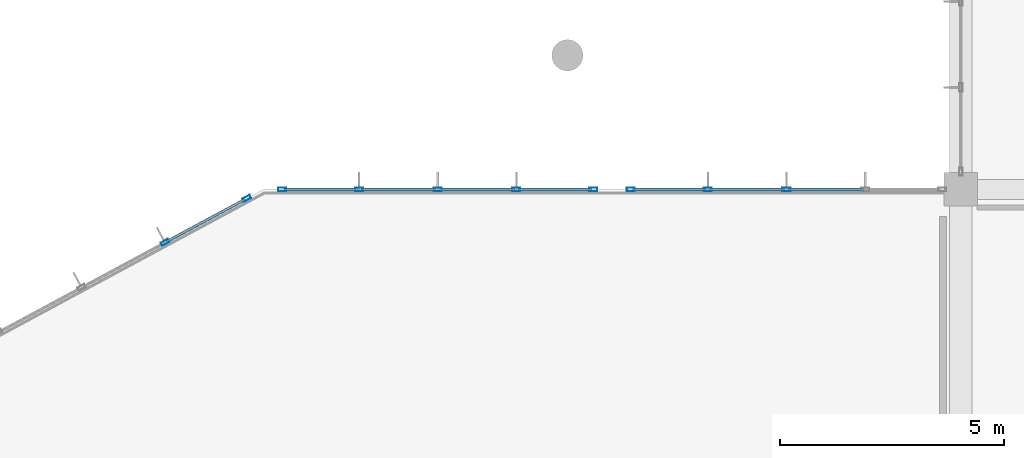
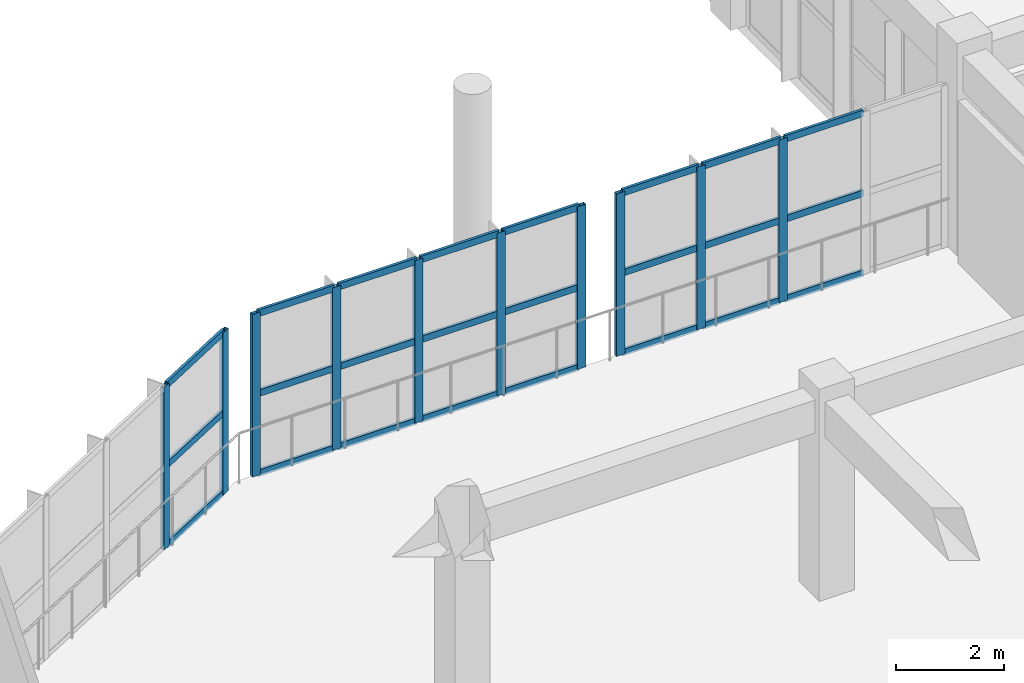
# One storey, part 61 of 175: 34 members, 3 elements without a shape of their own.
"""IFC4 building model written with IfcOpenShell, lengths in metres."""

from ifc_helpers import new_model, si_unit, direction, frame, origin, origin_2d, place, context, subcontext, project, spatial, hollow_rectangle, extrude, material, layer, layer_set, material_profile, profile_set, type_object, element, aggregate, save


model = new_model("IFC4")

# Units and contexts
model_context = context("Model", 3, precision=1e-05, world=origin(), true_north=direction((0.0, 1.0)))
body_context = subcontext(model_context, "Body", "Model", "MODEL_VIEW")
ifc_project = project(units=[si_unit("LENGTHUNIT", "METRE"), si_unit("AREAUNIT", "SQUARE_METRE"), si_unit("VOLUMEUNIT", "CUBIC_METRE"), si_unit("PLANEANGLEUNIT", "RADIAN"), si_unit("MASSUNIT", "GRAM", prefix="KILO")], contexts=[model_context])

# Site, building, storey
site_placement = place(None, origin())
site = spatial("IfcSite", under=ifc_project, at=site_placement, CompositionType="ELEMENT")
building_placement = place(site_placement, origin())
building = spatial("IfcBuilding", under=site, at=building_placement, Name="Zizhar Promenade General Hospital", CompositionType="ELEMENT")
storey_placement = place(building_placement, frame((0.0, 0.0, 4.800048828125)))
storey = spatial("IfcBuildingStorey", under=building, at=storey_placement, Name="L01", CompositionType="ELEMENT", Elevation=4.800048828125)

# Curtain wall, members
ifc_material_1 = material(Name="Anodised aluminium 6063-T6 and low-E glass", Category="aluminium")
ifc_layer = layer(ifc_material_1, 0.159912109375)
ifc_layer_set = layer_set([ifc_layer], Name="Anodised aluminium 6063-T6 and low-E glass")
curtain_wall_type = type_object("IfcCurtainWallType", Name="CW-DT-MOD2", PredefinedType="NOTDEFINED", material=ifc_layer_set)
curtain_wall_1_placement = place(storey_placement, origin())
curtain_wall_1 = element("IfcCurtainWall", 1, at=curtain_wall_1_placement, inside=storey, type_object=curtain_wall_type, Name="West Diagnostic Arm Glazed Curtain Wall L01-NW3", PredefinedType="NOTDEFINED")
ifc_material_2 = material(Name="Anodised aluminium 6063-T6", Category="aluminium")
ifc_material_profile_1 = material_profile(ifc_material_2, hollow_rectangle(XDim=0.080078125, YDim=0.179931640625, WallThickness=0.0048828125, at=origin_2d()))
ifc_profile_set_1 = profile_set([ifc_material_profile_1], Name="Anodised aluminium 6063-T6")
member_type_1 = type_object("IfcMemberType", Name="CWM-ALU-180x80", PredefinedType="MULLION", material=ifc_profile_set_1)
member_1_placement = place(storey_placement, frame((28.9990234375, 82.81494140625, 0.0), z_axis=(0.0, 0.0, 1.0), x_axis=(-0.474097009774, 0.880472614749, 0.0)))
member_1 = element("IfcMember", 2, at=member_1_placement, type_object=member_type_1, Name="CW-08 mullion 8", PredefinedType="MULLION", context=body_context, shape_type="SweptSolid", body=[
    extrude(hollow_rectangle(XDim=0.080078125, YDim=0.179931640625, WallThickness=0.0048828125, at=origin_2d()), origin(), (0.0, 0.0, 1.0), 3.679931640625),
])
member_2_placement = place(storey_placement, frame((30.830078125, 83.80078125, 0.0), z_axis=(0.0, 0.0, 1.0), x_axis=(-0.474097009774, 0.880472614749, 0.0)))
member_2 = element("IfcMember", 3, at=member_2_placement, type_object=member_type_1, Name="CW-08 mullion 9", PredefinedType="MULLION", context=body_context, shape_type="SweptSolid", body=[
    extrude(hollow_rectangle(XDim=0.080078125, YDim=0.179931640625, WallThickness=0.0048828125, at=origin_2d()), origin(), (0.0, 0.0, 1.0), 3.679931640625),
])

curtain_wall_2_placement = place(storey_placement, origin())
curtain_wall_2 = element("IfcCurtainWall", 4, at=curtain_wall_2_placement, inside=storey, type_object=curtain_wall_type, Name="West Diagnostic Arm Glazed Curtain Wall L01-N1", PredefinedType="NOTDEFINED")
member_3_placement = place(storey_placement, frame((31.6201171875, 84.0, 0.0), z_axis=(0.0, 0.0, 1.0), x_axis=(0.0, 1.0, 0.0)))
member_3 = element("IfcMember", 5, at=member_3_placement, type_object=member_type_1, Name="CW-08 mullion 1", PredefinedType="MULLION", context=body_context, shape_type="SweptSolid", body=[
    extrude(hollow_rectangle(XDim=0.080078125, YDim=0.179931640625, WallThickness=0.0048828125, at=origin_2d()), origin(), (0.0, 0.0, 1.0), 3.679931640625),
])
member_4_placement = place(storey_placement, frame((33.340087890625, 84.0, 0.0), z_axis=(0.0, 0.0, 1.0), x_axis=(0.0, 1.0, 0.0)))
member_4 = element("IfcMember", 6, at=member_4_placement, type_object=member_type_1, Name="CW-08 mullion 2", PredefinedType="MULLION", context=body_context, shape_type="SweptSolid", body=[
    extrude(hollow_rectangle(XDim=0.080078125, YDim=0.179931640625, WallThickness=0.0048828125, at=origin_2d()), origin(), (0.0, 0.0, 1.0), 3.679931640625),
])
member_5_placement = place(storey_placement, frame((35.10009765625, 84.0, 0.0), z_axis=(0.0, 0.0, 1.0), x_axis=(0.0, 1.0, 0.0)))
member_5 = element("IfcMember", 7, at=member_5_placement, type_object=member_type_1, Name="CW-08 mullion 3", PredefinedType="MULLION", context=body_context, shape_type="SweptSolid", body=[
    extrude(hollow_rectangle(XDim=0.080078125, YDim=0.179931640625, WallThickness=0.0048828125, at=origin_2d()), origin(), (0.0, 0.0, 1.0), 3.679931640625),
])
member_6_placement = place(storey_placement, frame((36.860107421875, 84.0, 0.0), z_axis=(0.0, 0.0, 1.0), x_axis=(0.0, 1.0, 0.0)))
member_6 = element("IfcMember", 8, at=member_6_placement, type_object=member_type_1, Name="CW-08 mullion 4", PredefinedType="MULLION", context=body_context, shape_type="SweptSolid", body=[
    extrude(hollow_rectangle(XDim=0.080078125, YDim=0.179931640625, WallThickness=0.0048828125, at=origin_2d()), origin(), (0.0, 0.0, 1.0), 3.679931640625),
])
member_7_placement = place(storey_placement, frame((38.580078125, 84.0, 0.0), z_axis=(0.0, 0.0, 1.0), x_axis=(0.0, 1.0, 0.0)))
member_7 = element("IfcMember", 9, at=member_7_placement, type_object=member_type_1, Name="CW-08 mullion 5", PredefinedType="MULLION", context=body_context, shape_type="SweptSolid", body=[
    extrude(hollow_rectangle(XDim=0.080078125, YDim=0.179931640625, WallThickness=0.0048828125, at=origin_2d()), origin(), (0.0, 0.0, 1.0), 3.679931640625),
])

curtain_wall_3_placement = place(storey_placement, origin())
curtain_wall_3 = element("IfcCurtainWall", 10, at=curtain_wall_3_placement, inside=storey, type_object=curtain_wall_type, Name="West Diagnostic Arm Glazed Curtain Wall L01-N2", PredefinedType="NOTDEFINED")
member_8_placement = place(storey_placement, frame((39.419921875, 84.0, 0.0), z_axis=(0.0, 0.0, 1.0), x_axis=(0.0, 1.0, 0.0)))
member_8 = element("IfcMember", 11, at=member_8_placement, type_object=member_type_1, Name="CW-08 mullion 1", PredefinedType="MULLION", context=body_context, shape_type="SweptSolid", body=[
    extrude(hollow_rectangle(XDim=0.080078125, YDim=0.179931640625, WallThickness=0.0048828125, at=origin_2d()), origin(), (0.0, 0.0, 1.0), 3.679931640625),
])
member_9_placement = place(storey_placement, frame((41.139892578125, 84.0, 0.0), z_axis=(0.0, 0.0, 1.0), x_axis=(0.0, 1.0, 0.0)))
member_9 = element("IfcMember", 12, at=member_9_placement, type_object=member_type_1, Name="CW-08 mullion 2", PredefinedType="MULLION", context=body_context, shape_type="SweptSolid", body=[
    extrude(hollow_rectangle(XDim=0.080078125, YDim=0.179931640625, WallThickness=0.0048828125, at=origin_2d()), origin(), (0.0, 0.0, 1.0), 3.679931640625),
])
member_10_placement = place(storey_placement, frame((42.89990234375, 84.0, 0.0), z_axis=(0.0, 0.0, 1.0), x_axis=(0.0, 1.0, 0.0)))
member_10 = element("IfcMember", 13, at=member_10_placement, type_object=member_type_1, Name="CW-08 mullion 3", PredefinedType="MULLION", context=body_context, shape_type="SweptSolid", body=[
    extrude(hollow_rectangle(XDim=0.080078125, YDim=0.179931640625, WallThickness=0.0048828125, at=origin_2d()), origin(), (0.0, 0.0, 1.0), 3.679931640625),
])

# Member
ifc_material_3 = material(Name="Anodised aluminium 6063-T6", Category="aluminium")
ifc_material_profile_2 = material_profile(ifc_material_3, hollow_rectangle(XDim=0.06005859375, YDim=0.14990234375, WallThickness=0.00390625, at=origin_2d()))
ifc_profile_set_2 = profile_set([ifc_material_profile_2], Name="Anodised aluminium 6063-T6")
member_type_2 = type_object("IfcMemberType", Name="CWT-ALU-150x60", PredefinedType="USERDEFINED", material=ifc_profile_set_2)
member_11_placement = place(storey_placement, frame((29.0341796875, 82.833740234375, 0.030029296875), z_axis=(0.88043973804, 0.474158061917, 0.0), x_axis=(-0.474158061917, 0.88043973804, 0.0)))
member_11 = element("IfcMember", 14, at=member_11_placement, type_object=member_type_2, Name="CW-08 transom 8.1", ObjectType="TRANSOM", PredefinedType="USERDEFINED", context=body_context, shape_type="SweptSolid", body=[
    extrude(hollow_rectangle(XDim=0.06005859375, YDim=0.14990234375, WallThickness=0.00390625, at=origin_2d()), origin(), (0.0, 0.0, 1.0), 1.999755859375),
])

member_12_placement = place(storey_placement, frame((29.0341796875, 82.833740234375, 1.83984375), z_axis=(0.88043973804, 0.474158061917, 0.0), x_axis=(-0.474158061917, 0.88043973804, 0.0)))
member_12 = element("IfcMember", 15, at=member_12_placement, type_object=member_type_2, Name="CW-08 transom 8.2", ObjectType="TRANSOM", PredefinedType="USERDEFINED", context=body_context, shape_type="SweptSolid", body=[
    extrude(hollow_rectangle(XDim=0.06005859375, YDim=0.14990234375, WallThickness=0.00390625, at=origin_2d()), origin(), (0.0, 0.0, 1.0), 1.999755859375),
])

member_13_placement = place(storey_placement, frame((29.0341796875, 82.833740234375, 3.64990234375), z_axis=(0.88043973804, 0.474158061917, 0.0), x_axis=(-0.474158061917, 0.88043973804, 0.0)))
member_13 = element("IfcMember", 16, at=member_13_placement, type_object=member_type_2, Name="CW-08 transom 8.3", ObjectType="TRANSOM", PredefinedType="USERDEFINED", context=body_context, shape_type="SweptSolid", body=[
    extrude(hollow_rectangle(XDim=0.06005859375, YDim=0.14990234375, WallThickness=0.00390625, at=origin_2d()), origin(), (0.0, 0.0, 1.0), 1.999755859375),
])

aggregate(curtain_wall_1, [member_1, member_2, member_11, member_12, member_13])

member_14_placement = place(storey_placement, frame((31.659912109375, 84.0, 0.030029296875), z_axis=(1.0, 0.0, 0.0), x_axis=(0.0, 1.0, 0.0)))
member_14 = element("IfcMember", 17, at=member_14_placement, type_object=member_type_2, Name="CW-08 transom 1.1", ObjectType="TRANSOM", PredefinedType="USERDEFINED", context=body_context, shape_type="SweptSolid", body=[
    extrude(hollow_rectangle(XDim=0.06005859375, YDim=0.14990234375, WallThickness=0.00390625, at=origin_2d()), origin(), (0.0, 0.0, 1.0), 1.64013671875),
])

member_15_placement = place(storey_placement, frame((31.659912109375, 84.0, 1.83984375), z_axis=(1.0, 0.0, 0.0), x_axis=(0.0, 1.0, 0.0)))
member_15 = element("IfcMember", 18, at=member_15_placement, type_object=member_type_2, Name="CW-08 transom 1.2", ObjectType="TRANSOM", PredefinedType="USERDEFINED", context=body_context, shape_type="SweptSolid", body=[
    extrude(hollow_rectangle(XDim=0.06005859375, YDim=0.14990234375, WallThickness=0.00390625, at=origin_2d()), origin(), (0.0, 0.0, 1.0), 1.64013671875),
])

member_16_placement = place(storey_placement, frame((31.659912109375, 84.0, 3.64990234375), z_axis=(1.0, 0.0, 0.0), x_axis=(0.0, 1.0, 0.0)))
member_16 = element("IfcMember", 19, at=member_16_placement, type_object=member_type_2, Name="CW-08 transom 1.3", ObjectType="TRANSOM", PredefinedType="USERDEFINED", context=body_context, shape_type="SweptSolid", body=[
    extrude(hollow_rectangle(XDim=0.06005859375, YDim=0.14990234375, WallThickness=0.00390625, at=origin_2d()), origin(), (0.0, 0.0, 1.0), 1.64013671875),
])

member_17_placement = place(storey_placement, frame((33.3798828125, 84.0, 0.030029296875), z_axis=(1.0, 0.0, 0.0), x_axis=(0.0, 1.0, 0.0)))
member_17 = element("IfcMember", 20, at=member_17_placement, type_object=member_type_2, Name="CW-08 transom 2.1", ObjectType="TRANSOM", PredefinedType="USERDEFINED", context=body_context, shape_type="SweptSolid", body=[
    extrude(hollow_rectangle(XDim=0.06005859375, YDim=0.14990234375, WallThickness=0.00390625, at=origin_2d()), origin(), (0.0, 0.0, 1.0), 1.68017578125),
])

member_18_placement = place(storey_placement, frame((33.3798828125, 84.0, 1.83984375), z_axis=(1.0, 0.0, 0.0), x_axis=(0.0, 1.0, 0.0)))
member_18 = element("IfcMember", 21, at=member_18_placement, type_object=member_type_2, Name="CW-08 transom 2.2", ObjectType="TRANSOM", PredefinedType="USERDEFINED", context=body_context, shape_type="SweptSolid", body=[
    extrude(hollow_rectangle(XDim=0.06005859375, YDim=0.14990234375, WallThickness=0.00390625, at=origin_2d()), origin(), (0.0, 0.0, 1.0), 1.68017578125),
])

member_19_placement = place(storey_placement, frame((33.3798828125, 84.0, 3.64990234375), z_axis=(1.0, 0.0, 0.0), x_axis=(0.0, 1.0, 0.0)))
member_19 = element("IfcMember", 22, at=member_19_placement, type_object=member_type_2, Name="CW-08 transom 2.3", ObjectType="TRANSOM", PredefinedType="USERDEFINED", context=body_context, shape_type="SweptSolid", body=[
    extrude(hollow_rectangle(XDim=0.06005859375, YDim=0.14990234375, WallThickness=0.00390625, at=origin_2d()), origin(), (0.0, 0.0, 1.0), 1.68017578125),
])

member_20_placement = place(storey_placement, frame((35.139892578125, 84.0, 0.030029296875), z_axis=(1.0, 0.0, 0.0), x_axis=(0.0, 1.0, 0.0)))
member_20 = element("IfcMember", 23, at=member_20_placement, type_object=member_type_2, Name="CW-08 transom 3.1", ObjectType="TRANSOM", PredefinedType="USERDEFINED", context=body_context, shape_type="SweptSolid", body=[
    extrude(hollow_rectangle(XDim=0.06005859375, YDim=0.14990234375, WallThickness=0.00390625, at=origin_2d()), origin(), (0.0, 0.0, 1.0), 1.68017578125),
])

member_21_placement = place(storey_placement, frame((35.139892578125, 84.0, 1.83984375), z_axis=(1.0, 0.0, 0.0), x_axis=(0.0, 1.0, 0.0)))
member_21 = element("IfcMember", 24, at=member_21_placement, type_object=member_type_2, Name="CW-08 transom 3.2", ObjectType="TRANSOM", PredefinedType="USERDEFINED", context=body_context, shape_type="SweptSolid", body=[
    extrude(hollow_rectangle(XDim=0.06005859375, YDim=0.14990234375, WallThickness=0.00390625, at=origin_2d()), origin(), (0.0, 0.0, 1.0), 1.68017578125),
])

member_22_placement = place(storey_placement, frame((35.139892578125, 84.0, 3.64990234375), z_axis=(1.0, 0.0, 0.0), x_axis=(0.0, 1.0, 0.0)))
member_22 = element("IfcMember", 25, at=member_22_placement, type_object=member_type_2, Name="CW-08 transom 3.3", ObjectType="TRANSOM", PredefinedType="USERDEFINED", context=body_context, shape_type="SweptSolid", body=[
    extrude(hollow_rectangle(XDim=0.06005859375, YDim=0.14990234375, WallThickness=0.00390625, at=origin_2d()), origin(), (0.0, 0.0, 1.0), 1.68017578125),
])

member_23_placement = place(storey_placement, frame((36.89990234375, 84.0, 0.030029296875), z_axis=(1.0, 0.0, 0.0), x_axis=(0.0, 1.0, 0.0)))
member_23 = element("IfcMember", 26, at=member_23_placement, type_object=member_type_2, Name="CW-08 transom 4.1", ObjectType="TRANSOM", PredefinedType="USERDEFINED", context=body_context, shape_type="SweptSolid", body=[
    extrude(hollow_rectangle(XDim=0.06005859375, YDim=0.14990234375, WallThickness=0.00390625, at=origin_2d()), origin(), (0.0, 0.0, 1.0), 1.64013671875),
])

member_24_placement = place(storey_placement, frame((36.89990234375, 84.0, 1.83984375), z_axis=(1.0, 0.0, 0.0), x_axis=(0.0, 1.0, 0.0)))
member_24 = element("IfcMember", 27, at=member_24_placement, type_object=member_type_2, Name="CW-08 transom 4.2", ObjectType="TRANSOM", PredefinedType="USERDEFINED", context=body_context, shape_type="SweptSolid", body=[
    extrude(hollow_rectangle(XDim=0.06005859375, YDim=0.14990234375, WallThickness=0.00390625, at=origin_2d()), origin(), (0.0, 0.0, 1.0), 1.64013671875),
])

member_25_placement = place(storey_placement, frame((36.89990234375, 84.0, 3.64990234375), z_axis=(1.0, 0.0, 0.0), x_axis=(0.0, 1.0, 0.0)))
member_25 = element("IfcMember", 28, at=member_25_placement, type_object=member_type_2, Name="CW-08 transom 4.3", ObjectType="TRANSOM", PredefinedType="USERDEFINED", context=body_context, shape_type="SweptSolid", body=[
    extrude(hollow_rectangle(XDim=0.06005859375, YDim=0.14990234375, WallThickness=0.00390625, at=origin_2d()), origin(), (0.0, 0.0, 1.0), 1.64013671875),
])

aggregate(curtain_wall_2, [member_3, member_4, member_5, member_6, member_7, member_14, member_15, member_16, member_17, member_18, member_19, member_20, member_21, member_22, member_23, member_24, member_25])

member_26_placement = place(storey_placement, frame((39.4599609375, 84.0, 0.030029296875), z_axis=(1.0, 0.0, 0.0), x_axis=(0.0, 1.0, 0.0)))
member_26 = element("IfcMember", 29, at=member_26_placement, type_object=member_type_2, Name="CW-08 transom 1.1", ObjectType="TRANSOM", PredefinedType="USERDEFINED", context=body_context, shape_type="SweptSolid", body=[
    extrude(hollow_rectangle(XDim=0.06005859375, YDim=0.14990234375, WallThickness=0.00390625, at=origin_2d()), origin(), (0.0, 0.0, 1.0), 1.64013671875),
])

member_27_placement = place(storey_placement, frame((39.4599609375, 84.0, 1.83984375), z_axis=(1.0, 0.0, 0.0), x_axis=(0.0, 1.0, 0.0)))
member_27 = element("IfcMember", 30, at=member_27_placement, type_object=member_type_2, Name="CW-08 transom 1.2", ObjectType="TRANSOM", PredefinedType="USERDEFINED", context=body_context, shape_type="SweptSolid", body=[
    extrude(hollow_rectangle(XDim=0.06005859375, YDim=0.14990234375, WallThickness=0.00390625, at=origin_2d()), origin(), (0.0, 0.0, 1.0), 1.64013671875),
])

member_28_placement = place(storey_placement, frame((39.4599609375, 84.0, 3.64990234375), z_axis=(1.0, 0.0, 0.0), x_axis=(0.0, 1.0, 0.0)))
member_28 = element("IfcMember", 31, at=member_28_placement, type_object=member_type_2, Name="CW-08 transom 1.3", ObjectType="TRANSOM", PredefinedType="USERDEFINED", context=body_context, shape_type="SweptSolid", body=[
    extrude(hollow_rectangle(XDim=0.06005859375, YDim=0.14990234375, WallThickness=0.00390625, at=origin_2d()), origin(), (0.0, 0.0, 1.0), 1.64013671875),
])

member_29_placement = place(storey_placement, frame((41.179931640625, 84.0, 0.030029296875), z_axis=(1.0, 0.0, 0.0), x_axis=(0.0, 1.0, 0.0)))
member_29 = element("IfcMember", 32, at=member_29_placement, type_object=member_type_2, Name="CW-08 transom 2.1", ObjectType="TRANSOM", PredefinedType="USERDEFINED", context=body_context, shape_type="SweptSolid", body=[
    extrude(hollow_rectangle(XDim=0.06005859375, YDim=0.14990234375, WallThickness=0.00390625, at=origin_2d()), origin(), (0.0, 0.0, 1.0), 1.68017578125),
])

member_30_placement = place(storey_placement, frame((41.179931640625, 84.0, 1.83984375), z_axis=(1.0, 0.0, 0.0), x_axis=(0.0, 1.0, 0.0)))
member_30 = element("IfcMember", 33, at=member_30_placement, type_object=member_type_2, Name="CW-08 transom 2.2", ObjectType="TRANSOM", PredefinedType="USERDEFINED", context=body_context, shape_type="SweptSolid", body=[
    extrude(hollow_rectangle(XDim=0.06005859375, YDim=0.14990234375, WallThickness=0.00390625, at=origin_2d()), origin(), (0.0, 0.0, 1.0), 1.68017578125),
])

member_31_placement = place(storey_placement, frame((41.179931640625, 84.0, 3.64990234375), z_axis=(1.0, 0.0, 0.0), x_axis=(0.0, 1.0, 0.0)))
member_31 = element("IfcMember", 34, at=member_31_placement, type_object=member_type_2, Name="CW-08 transom 2.3", ObjectType="TRANSOM", PredefinedType="USERDEFINED", context=body_context, shape_type="SweptSolid", body=[
    extrude(hollow_rectangle(XDim=0.06005859375, YDim=0.14990234375, WallThickness=0.00390625, at=origin_2d()), origin(), (0.0, 0.0, 1.0), 1.68017578125),
])

member_32_placement = place(storey_placement, frame((42.93994140625, 84.0, 0.030029296875), z_axis=(1.0, 0.0, 0.0), x_axis=(0.0, 1.0, 0.0)))
member_32 = element("IfcMember", 35, at=member_32_placement, type_object=member_type_2, Name="CW-08 transom 3.1", ObjectType="TRANSOM", PredefinedType="USERDEFINED", context=body_context, shape_type="SweptSolid", body=[
    extrude(hollow_rectangle(XDim=0.06005859375, YDim=0.14990234375, WallThickness=0.00390625, at=origin_2d()), origin(), (0.0, 0.0, 1.0), 1.68017578125),
])

member_33_placement = place(storey_placement, frame((42.93994140625, 84.0, 1.83984375), z_axis=(1.0, 0.0, 0.0), x_axis=(0.0, 1.0, 0.0)))
member_33 = element("IfcMember", 36, at=member_33_placement, type_object=member_type_2, Name="CW-08 transom 3.2", ObjectType="TRANSOM", PredefinedType="USERDEFINED", context=body_context, shape_type="SweptSolid", body=[
    extrude(hollow_rectangle(XDim=0.06005859375, YDim=0.14990234375, WallThickness=0.00390625, at=origin_2d()), origin(), (0.0, 0.0, 1.0), 1.68017578125),
])

member_34_placement = place(storey_placement, frame((42.93994140625, 84.0, 3.64990234375), z_axis=(1.0, 0.0, 0.0), x_axis=(0.0, 1.0, 0.0)))
member_34 = element("IfcMember", 37, at=member_34_placement, type_object=member_type_2, Name="CW-08 transom 3.3", ObjectType="TRANSOM", PredefinedType="USERDEFINED", context=body_context, shape_type="SweptSolid", body=[
    extrude(hollow_rectangle(XDim=0.06005859375, YDim=0.14990234375, WallThickness=0.00390625, at=origin_2d()), origin(), (0.0, 0.0, 1.0), 1.68017578125),
])

aggregate(curtain_wall_3, [member_8, member_9, member_10, member_26, member_27, member_28, member_29, member_30, member_31, member_32, member_33, member_34])

save(model, "model.ifc")
